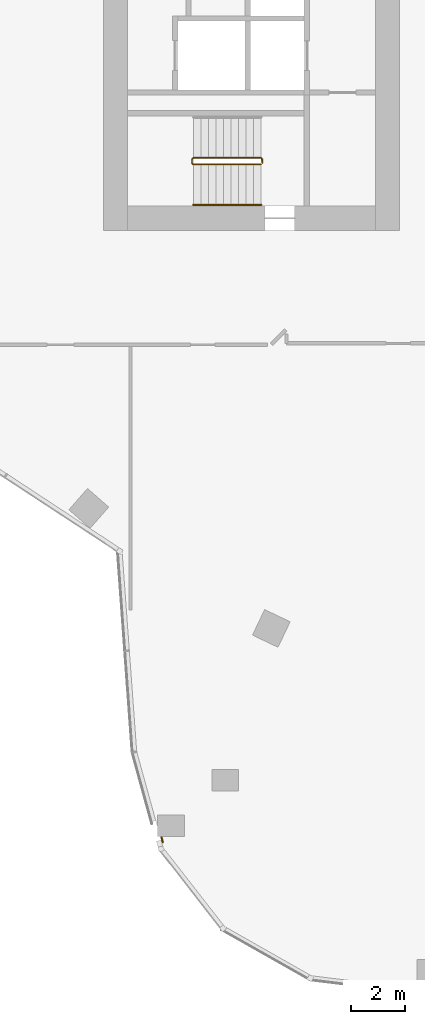
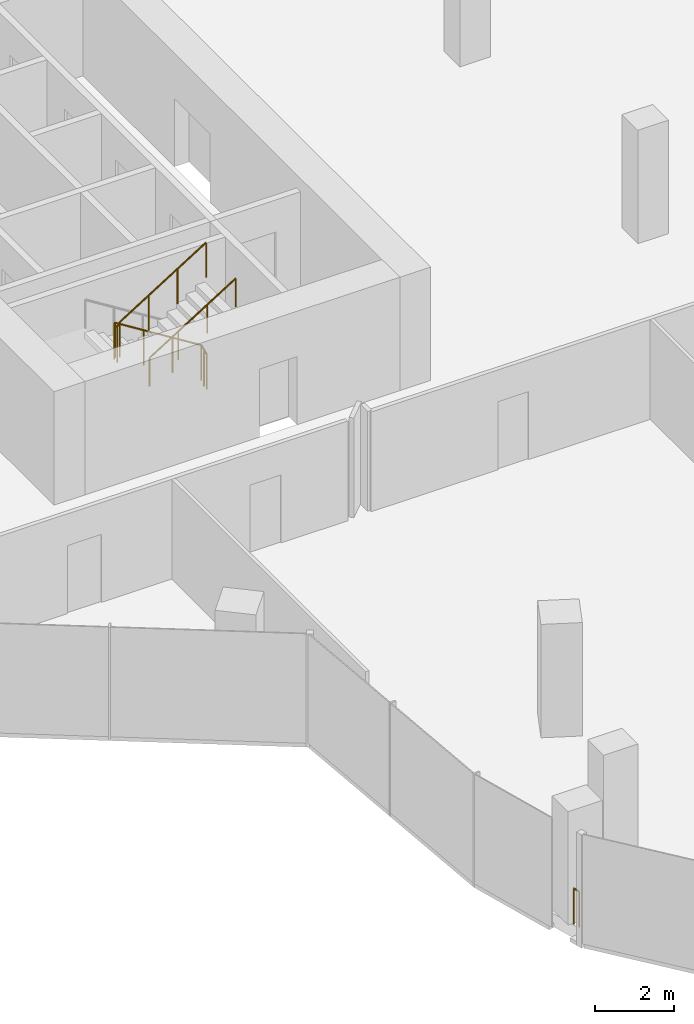
# One storey, part 22 of 24: 3 railings.
"""IFC4 building model written with IfcOpenShell, lengths in metres."""

from ifc_helpers import new_model, si_unit, direction, frame, origin, origin_2d, place, context, subcontext, project, spatial, circle, extrude, material, type_object, element, save


model = new_model("IFC4")

# Units and contexts
model_context = context("Model", 3, precision=1e-05, world=origin(), true_north=direction((0.0, 1.0)))
body_context = subcontext(model_context, "Body", "Model", "MODEL_VIEW")
ifc_project = project(units=[si_unit("LENGTHUNIT", "METRE"), si_unit("AREAUNIT", "SQUARE_METRE"), si_unit("VOLUMEUNIT", "CUBIC_METRE"), si_unit("PLANEANGLEUNIT", "RADIAN"), si_unit("MASSUNIT", "GRAM", prefix="KILO")], contexts=[model_context])

# Site, building, storey
site_placement = place(None, origin())
site = spatial("IfcSite", under=ifc_project, at=site_placement, CompositionType="ELEMENT")
building_placement = place(site_placement, origin())
building = spatial("IfcBuilding", under=site, at=building_placement, Name="Orlundy Tower", CompositionType="ELEMENT")
storey_placement = place(building_placement, frame((0.0, 0.0, 235.5)))
storey = spatial("IfcBuildingStorey", under=building, at=storey_placement, Name="L62", CompositionType="ELEMENT", Elevation=235.5)

# Railings
ifc_material_1 = material(Name="Steel balustrade", Category="steel")
railing_type_1 = type_object("IfcRailingType", Name="Stair Guard 1100", PredefinedType="GUARDRAIL", material=ifc_material_1)
railing_1_placement = place(storey_placement, frame((-13.090087890625, -9.35009765625, 0.0)))
element("IfcRailing", 1, at=railing_1_placement, inside=storey, type_object=railing_type_1, Name="L62 ST-W2 stair guard 1", PredefinedType="GUARDRAIL", context=body_context, shape_type="SweptSolid", body=[
    extrude(circle(Radius=0.02392578125, at=origin_2d()), frame((0.0, 0.0, 1.076171875), z_axis=(0.0, -1.0, 0.0), x_axis=(1.0, 0.0, 0.0)), (0.0, 0.0, 1.0), 0.14990234375),
    extrude(circle(Radius=0.02392578125, at=origin_2d()), frame((0.0, -0.14990234375, 1.076171875), z_axis=(-0.18420542264, 0.739530593833, 0.647427882513), x_axis=(-0.970351222016, -0.241699205484, 0.0)), (0.0, 0.0, 1.0), 0.270263671875),
    extrude(circle(Radius=0.02392578125, at=origin_2d()), frame((-0.0498046875, 0.050048828125, 1.2509765625), z_axis=(-0.848007534815, 0.0, 0.529984170421), x_axis=(0.0, -1.0, 0.0)), (0.0, 0.0, 1.0), 2.9716796875),
    extrude(circle(Radius=0.02392578125, at=origin_2d()), frame((-2.56982421875, 0.050048828125, 2.826171875), z_axis=(-0.707106781187, -0.707106781187, 0.0), x_axis=(0.707106781187, -0.707106781187, 0.0)), (0.0, 0.0, 1.0), 0.07080078125),
    extrude(circle(Radius=0.02392578125, at=origin_2d()), frame((-2.619873046875, 0.0, 2.826171875), z_axis=(0.0, -1.0, 0.0), x_axis=(1.0, 0.0, 0.0)), (0.0, 0.0, 1.0), 0.14990234375),
    extrude(circle(Radius=0.02392578125, at=origin_2d()), frame((-2.619873046875, -0.14990234375, 2.826171875), z_axis=(0.265065253269, -0.265065253269, 0.927081885822), x_axis=(0.707106781187, 0.707106781187, 0.0)), (0.0, 0.0, 1.0), 0.188720703125),
    extrude(circle(Radius=0.02392578125, at=origin_2d()), frame((-2.56982421875, -0.199951171875, 3.0009765625), z_axis=(0.848007534815, 0.0, 0.529984170421), x_axis=(0.0, 1.0, 0.0)), (0.0, 0.0, 1.0), 2.9716796875),
    extrude(circle(Radius=0.02099609375, at=origin_2d()), origin(), (0.0, 0.0, 1.0), 1.052001953125),
    extrude(circle(Radius=0.02099609375, at=origin_2d()), frame((0.0, -0.14990234375, 0.0)), (0.0, 0.0, 1.0), 1.052001953125),
    extrude(circle(Radius=0.02099609375, at=origin_2d()), frame((-0.0498046875, 0.050048828125, 0.175048828125)), (0.0, 0.0, 1.0), 1.052001953125),
    extrude(circle(Radius=0.02099609375, at=origin_2d()), frame((-0.889892578125, 0.050048828125, 0.699951171875)), (0.0, 0.0, 1.0), 1.052001953125),
    extrude(circle(Radius=0.02099609375, at=origin_2d()), frame((-1.729736328125, 0.050048828125, 1.22509765625)), (0.0, 0.0, 1.0), 1.052001953125),
    extrude(circle(Radius=0.02099609375, at=origin_2d()), frame((-2.56982421875, 0.050048828125, 1.75)), (0.0, 0.0, 1.0), 1.052001953125),
    extrude(circle(Radius=0.02099609375, at=origin_2d()), frame((-2.619873046875, 0.0, 1.75)), (0.0, 0.0, 1.0), 1.052001953125),
    extrude(circle(Radius=0.02099609375, at=origin_2d()), frame((-2.619873046875, -0.14990234375, 1.75)), (0.0, 0.0, 1.0), 1.052001953125),
    extrude(circle(Radius=0.02099609375, at=origin_2d()), frame((-2.56982421875, -0.199951171875, 1.925048828125)), (0.0, 0.0, 1.0), 1.052001953125),
    extrude(circle(Radius=0.02099609375, at=origin_2d()), frame((-1.729736328125, -0.199951171875, 2.449951171875)), (0.0, 0.0, 1.0), 1.052001953125),
    extrude(circle(Radius=0.02099609375, at=origin_2d()), frame((-0.889892578125, -0.199951171875, 2.97509765625)), (0.0, 0.0, 1.0), 1.052001953125),
    extrude(circle(Radius=0.02099609375, at=origin_2d()), frame((-0.0498046875, -0.199951171875, 3.5)), (0.0, 0.0, 1.0), 1.052001953125),
])
ifc_material_2 = material(Name="Steel handrail", Category="steel")
railing_type_2 = type_object("IfcRailingType", Name="Stair Handrail 900", PredefinedType="HANDRAIL", material=ifc_material_2)
railing_2_placement = place(storey_placement, frame((-15.659912109375, -11.050048828125, 1.925048828125)))
element("IfcRailing", 2, at=railing_2_placement, inside=storey, type_object=railing_type_2, Name="L62 ST-W2 stair handrail 2", PredefinedType="HANDRAIL", context=body_context, shape_type="SweptSolid", body=[
    extrude(circle(Radius=0.02392578125, at=origin_2d()), frame((0.0, 0.0, 0.8759765625), z_axis=(0.848007534815, 0.0, 0.529984170421), x_axis=(0.0, 1.0, 0.0)), (0.0, 0.0, 1.0), 2.9716796875),
    extrude(circle(Radius=0.02099609375, at=origin_2d()), origin(), (0.0, 0.0, 1.0), 0.851806640625),
    extrude(circle(Radius=0.02099609375, at=origin_2d()), frame((0.840087890625, 0.0, 0.52490234375)), (0.0, 0.0, 1.0), 0.851806640625),
    extrude(circle(Radius=0.02099609375, at=origin_2d()), frame((1.679931640625, 0.0, 1.050048828125)), (0.0, 0.0, 1.0), 0.851806640625),
    extrude(circle(Radius=0.02099609375, at=origin_2d()), frame((2.52001953125, 0.0, 1.574951171875)), (0.0, 0.0, 1.0), 0.851806640625),
])
ifc_material_3 = material(Name="Stainless steel bronze finish", Category="steel")
railing_type_3 = type_object("IfcRailingType", Name="TG1 terrace guard", PredefinedType="GUARDRAIL", material=ifc_material_3)
railing_3_placement = place(storey_placement, frame((-16.796630859375, -34.74365234375, 0.0)))
element("IfcRailing", 3, at=railing_3_placement, inside=storey, type_object=railing_type_3, Name="Guard TG-L62-E00", PredefinedType="GUARDRAIL", context=body_context, shape_type="SweptSolid", body=[
    extrude(circle(Radius=0.02490234375, at=origin_2d()), frame((0.0, 0.0, 1.09521484375), z_axis=(-0.265638326664, 0.964072756283, 0.0), x_axis=(-0.964072756283, -0.265638326664, 0.0)), (0.0, 0.0, 1.0), 0.1884765625),
    extrude(circle(Radius=0.02001953125, at=origin_2d()), origin(), (0.0, 0.0, 1.0), 1.070068359375),
    extrude(circle(Radius=0.02001953125, at=origin_2d()), frame((-0.050048828125, 0.181640625, 0.0)), (0.0, 0.0, 1.0), 1.070068359375),
])

save(model, "model.ifc")
